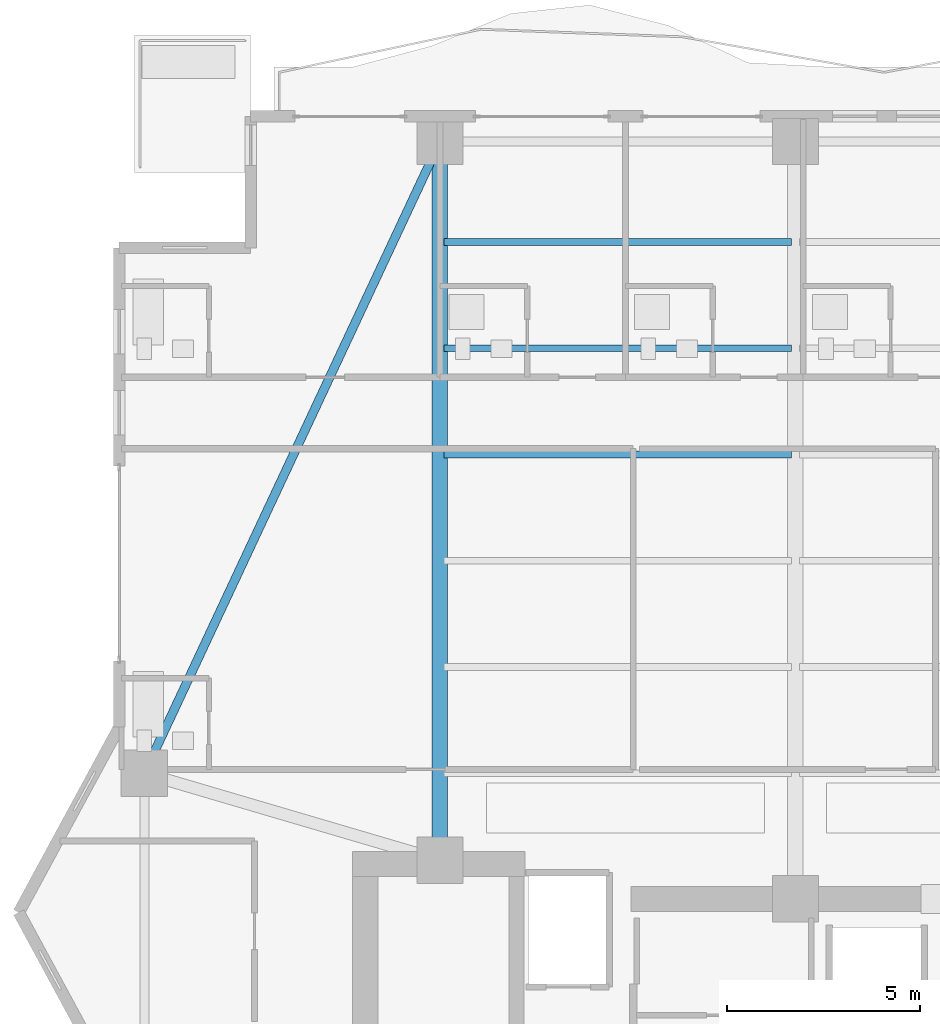
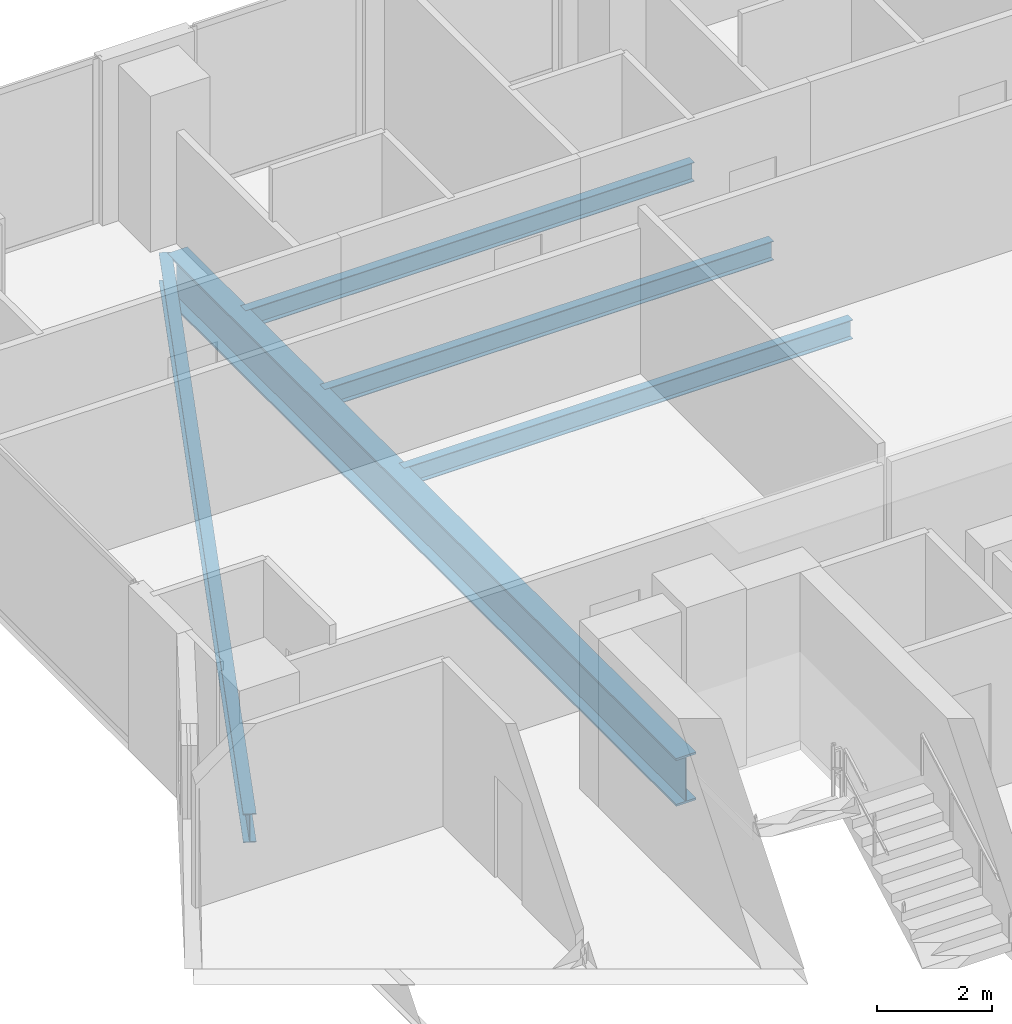
# One storey, part 16 of 33: 5 beams.
"""IFC4 building model written with IfcOpenShell, lengths in metres."""

from ifc_helpers import new_model, si_unit, direction, frame, origin, origin_2d, place, context, subcontext, project, spatial, i_section, extrude, material, material_profile, profile_set, type_object, element, save


model = new_model("IFC4")

# Units and contexts
model_context = context("Model", 3, precision=1e-05, world=origin(), true_north=direction((0.0, 1.0)))
body_context = subcontext(model_context, "Body", "Model", "MODEL_VIEW")
ifc_project = project(units=[si_unit("LENGTHUNIT", "METRE"), si_unit("AREAUNIT", "SQUARE_METRE"), si_unit("VOLUMEUNIT", "CUBIC_METRE"), si_unit("PLANEANGLEUNIT", "RADIAN"), si_unit("MASSUNIT", "GRAM", prefix="KILO")], contexts=[model_context])

# Site, building, storey
site_placement = place(None, origin())
site = spatial("IfcSite", under=ifc_project, at=site_placement, CompositionType="ELEMENT")
building_placement = place(site_placement, origin())
building = spatial("IfcBuilding", under=site, at=building_placement, Name="Zuhayl Quay Hotel", CompositionType="ELEMENT")
storey_placement = place(building_placement, frame((0.0, 0.0, 229.89990234375)))
storey = spatial("IfcBuildingStorey", under=building, at=storey_placement, Name="L58", CompositionType="ELEMENT", Elevation=229.89990234375)

# Beams
ifc_material = material(Name="Steel ASTM A992 Grade 50", Category="steel")
ifc_material_profile_1 = material_profile(ifc_material, i_section(OverallWidth=0.22802734375, OverallDepth=0.60693359375, WebThickness=0.01123046875, FlangeThickness=0.017333984375, at=origin_2d()), Name="W24X76")
ifc_profile_set_1 = profile_set([ifc_material_profile_1], Name="Steel ASTM A992 Grade 50")
beam_type_1 = type_object("IfcBeamType", Name="BM_B3_W24X76", PredefinedType="BEAM", material=ifc_profile_set_1)
beam_1_placement = place(storey_placement, frame((-14.011962890625, 32.4970703125, -0.5234375), z_axis=(-0.423792164429, -0.905759461098, 0.0), x_axis=(0.905759461098, -0.423792164429, 0.0)))
element("IfcBeam", 1, at=beam_1_placement, inside=storey, type_object=beam_type_1, Name="L58 Floor Beam RG_L58_10", PredefinedType="BEAM", context=body_context, shape_type="SweptSolid", body=[
    extrude(i_section(OverallWidth=0.22802734375, OverallDepth=0.60693359375, WebThickness=0.01123046875, FlangeThickness=0.017333984375, at=origin_2d()), origin(), (0.0, 0.0, 1.0), 17.051025390625),
])
ifc_material_profile_2 = material_profile(ifc_material, i_section(OverallWidth=0.177978515625, OverallDepth=0.406005859375, WebThickness=0.0078125, FlangeThickness=0.0126953125, at=origin_2d()), Name="W16X40")
ifc_profile_set_2 = profile_set([ifc_material_profile_2], Name="Steel ASTM A992 Grade 50")
beam_type_2 = type_object("IfcBeamType", Name="BM_J2B_W16X40", PredefinedType="JOIST", material=ifc_profile_set_2)
for number, where, z_axis, x_axis, name in (
    (2, (-13.694091796875, 24.85009765625, -0.4228515625), (1.0, 0.0, 0.0), (0.0, 1.0, 0.0), "L58 Floor Beam FJ_L58_4_1"),
    (3, (-13.694091796875, 27.60009765625, -0.4228515625), (1.0, 0.0, 0.0), (0.0, 1.0, 0.0), "L58 Floor Beam FJ_L58_5_1"),
    (4, (-13.694091796875, 30.35009765625, -0.4228515625), (1.0, 0.0, 0.0), (0.0, 1.0, 0.0), "L58 Floor Beam FJ_L58_6_1"),
):
    element("IfcBeam", number, at=place(storey_placement, frame(where, z_axis=z_axis, x_axis=x_axis)), inside=storey, type_object=beam_type_2, Name=name, PredefinedType="JOIST", context=body_context, shape_type="SweptSolid", body=[
        extrude(i_section(OverallWidth=0.177978515625, OverallDepth=0.406005859375, WebThickness=0.0078125, FlangeThickness=0.0126953125, at=origin_2d()), origin(), (0.0, 0.0, 1.0), 8.988037109375),
    ])
ifc_material_profile_3 = material_profile(ifc_material, i_section(OverallWidth=0.40087890625, OverallDepth=1.010986328125, WebThickness=0.023681640625, FlangeThickness=0.0419921875, at=origin_2d()), Name="W40X297")
ifc_profile_set_3 = profile_set([ifc_material_profile_3], Name="Steel ASTM A992 Grade 50")
beam_type_3 = type_object("IfcBeamType", Name="BM_TG2_W40X297", PredefinedType="BEAM", material=ifc_profile_set_3)
beam_2_placement = place(storey_placement, frame((-13.800048828125, 14.800048828125, -0.725341796875), z_axis=(0.0, 1.0, 0.0), x_axis=(-1.0, 0.0, 0.0)))
element("IfcBeam", 5, at=beam_2_placement, inside=storey, type_object=beam_type_3, Name="L58 Floor Beam FG_N_L58_1", PredefinedType="BEAM", context=body_context, shape_type="SweptSolid", body=[
    extrude(i_section(OverallWidth=0.40087890625, OverallDepth=1.010986328125, WebThickness=0.023681640625, FlangeThickness=0.0419921875, at=origin_2d()), origin(), (0.0, 0.0, 1.0), 17.64990234375),
])

save(model, "model.ifc")
